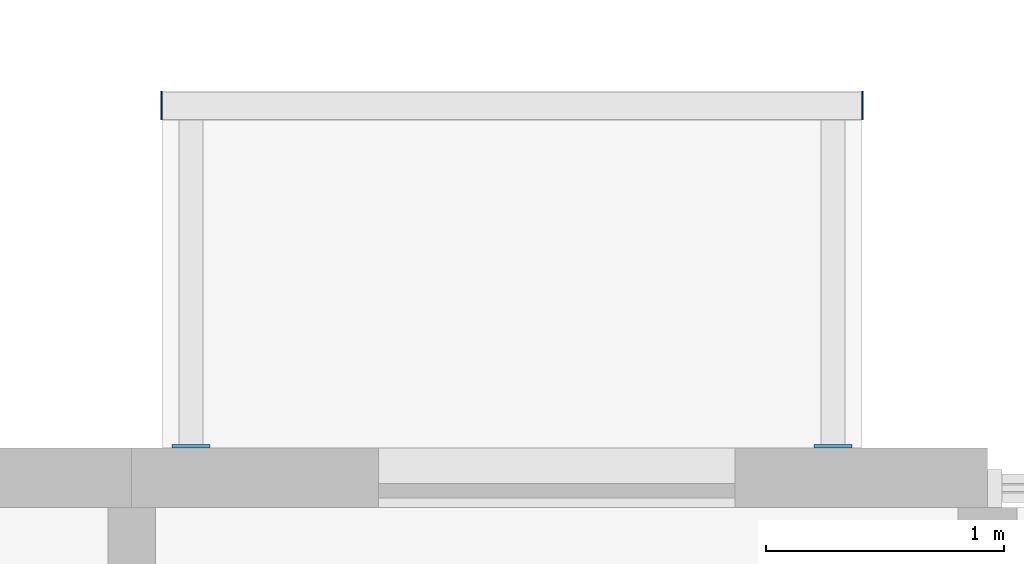
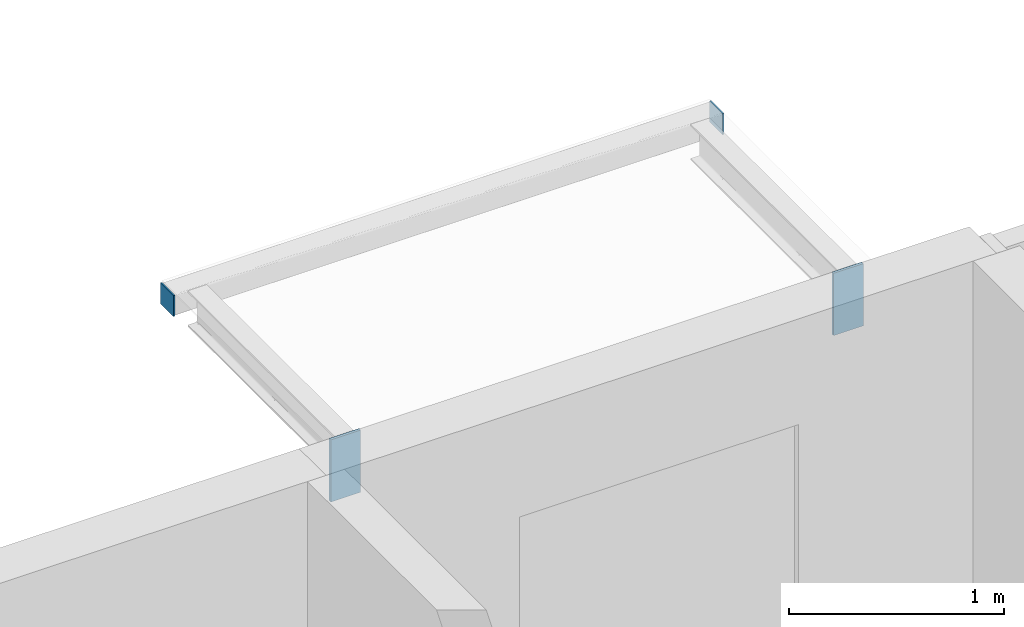
# One storey, part 72 of 99: 4 discrete accessories.
"""IFC4 building model written with IfcOpenShell, lengths in metres."""

from ifc_helpers import new_model, si_unit, direction, frame, origin, origin_2d, place, context, subcontext, project, spatial, rectangle, extrude, material, layer, layer_set, type_object, element, save


model = new_model("IFC4")

# Units and contexts
model_context = context("Model", 3, precision=1e-05, world=origin(), true_north=direction((0.0, 1.0)))
body_context = subcontext(model_context, "Body", "Model", "MODEL_VIEW")
ifc_project = project(units=[si_unit("LENGTHUNIT", "METRE"), si_unit("AREAUNIT", "SQUARE_METRE"), si_unit("VOLUMEUNIT", "CUBIC_METRE"), si_unit("PLANEANGLEUNIT", "RADIAN"), si_unit("MASSUNIT", "GRAM", prefix="KILO")], contexts=[model_context])

# Site, building, storey
site_placement = place(None, origin())
site = spatial("IfcSite", under=ifc_project, at=site_placement, CompositionType="ELEMENT")
building_placement = place(site_placement, origin())
building = spatial("IfcBuilding", under=site, at=building_placement, Name="Ridgestep Commons", CompositionType="ELEMENT")
storey_placement = place(building_placement, frame((0.0, 0.0, 15.0)))
storey = spatial("IfcBuildingStorey", under=building, at=storey_placement, Name="L05", CompositionType="ELEMENT", Elevation=15.0)

# Discrete accessories
ifc_material_1 = material(Name="Weathering steel S355J2W", Category="steel")
ifc_layer_1 = layer(ifc_material_1, 0.014892578125)
ifc_layer_set_1 = layer_set([ifc_layer_1], Name="Tray bracket plate 15")
discrete_accessory_type_1 = type_object("IfcDiscreteAccessoryType", Name="Tray bracket plate 15", PredefinedType="BRACKET", material=ifc_layer_set_1)
for number, where, z_axis, x_axis, name in (
    (1, (171.050048828125, 77.257568359375, 2.63671875), (0.0, 0.0, 1.0), (1.0, 0.0, 0.0), "Tray bracket C2T3-06.1"),
    (2, (173.75, 77.257568359375, 2.63671875), (0.0, 0.0, 1.0), (1.0, 0.0, 0.0), "Tray bracket C2T3-06.2"),
):
    element("IfcDiscreteAccessory", number, at=place(storey_placement, frame(where, z_axis=z_axis, x_axis=x_axis)), inside=storey, type_object=discrete_accessory_type_1, Name=name, PredefinedType="BRACKET", context=body_context, shape_type="SweptSolid", body=[
        extrude(rectangle(XDim=0.159912109375, YDim=0.014892578125, at=origin_2d()), origin(), (0.0, 0.0, 1.0), 0.353271484375),
    ])
ifc_material_2 = material(Name="Weathering steel S355J2W", Category="steel")
ifc_layer_2 = layer(ifc_material_2, 0.008056640625)
ifc_layer_set_2 = layer_set([ifc_layer_2], Name="Tray edge member end plate 120 x 120 x 8")
discrete_accessory_type_2 = type_object("IfcDiscreteAccessoryType", Name="Tray edge member end plate 120 x 120 x 8", PredefinedType="BRACKET", material=ifc_layer_set_2)
for number, where, z_axis, x_axis, name in (
    (3, (170.926025390625, 78.68994140625, 2.869873046875), (0.0, 0.0, 1.0), (1.0, 0.0, 0.0), "Tray edge member end plate C2T3-06 west"),
    (4, (173.8740234375, 78.68994140625, 2.869873046875), (0.0, 0.0, 1.0), (1.0, 0.0, 0.0), "Tray edge member end plate C2T3-06 east"),
):
    element("IfcDiscreteAccessory", number, at=place(storey_placement, frame(where, z_axis=z_axis, x_axis=x_axis)), inside=storey, type_object=discrete_accessory_type_2, Name=name, PredefinedType="BRACKET", context=body_context, shape_type="SweptSolid", body=[
        extrude(rectangle(XDim=0.008056640625, YDim=0.1201171875, at=origin_2d()), origin(), (0.0, 0.0, 1.0), 0.1201171875),
    ])

save(model, "model.ifc")
